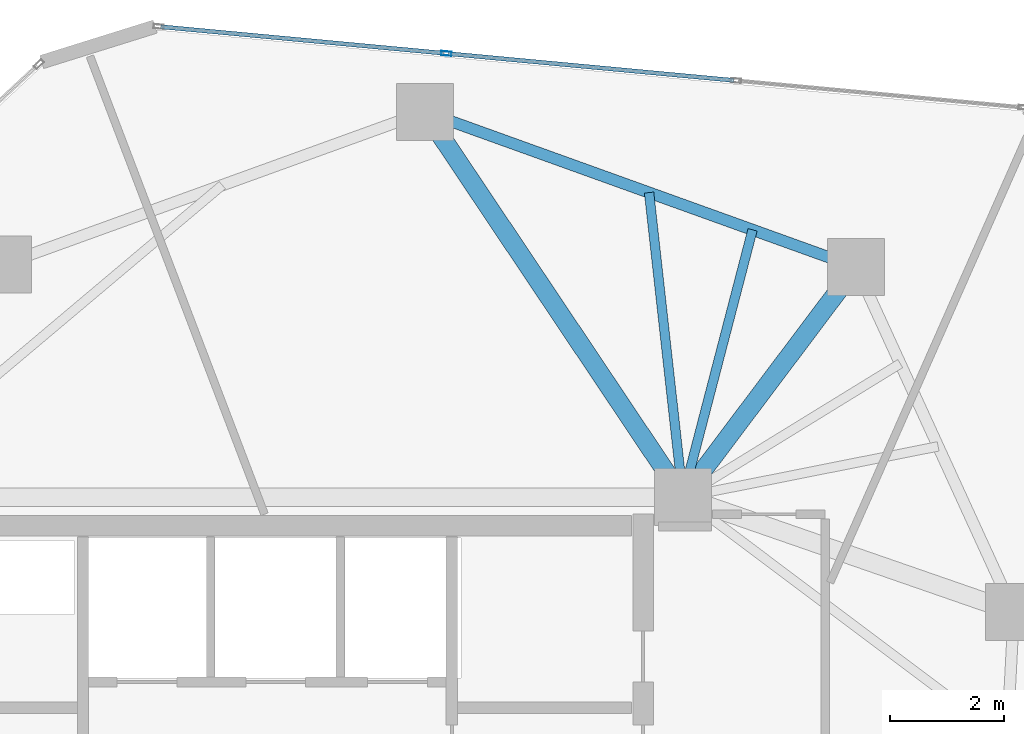
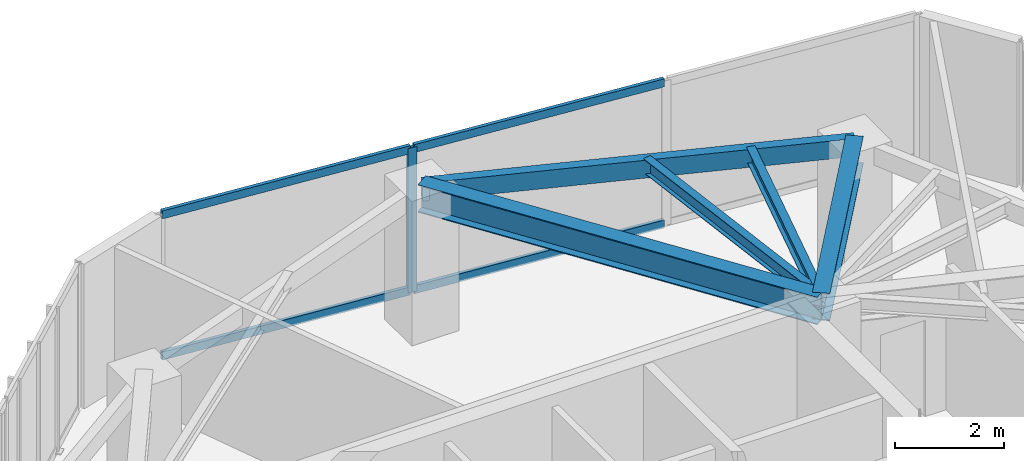
# One storey, part 13 of 19: 5 beams, 5 members, 1 element without a shape of its own.
"""IFC4 building model written with IfcOpenShell, lengths in metres."""

from ifc_helpers import new_model, si_unit, direction, frame, origin, origin_2d, place, context, subcontext, project, spatial, hollow_rectangle, i_section, extrude, source, transform, mapped, material, layer, layer_set, material_profile, profile_set, type_object, type_shapes, element, aggregate, save


model = new_model("IFC4")

# Units and contexts
model_context = context("Model", 3, precision=1e-05, world=origin(), true_north=direction((0.0, 1.0)))
body_context = subcontext(model_context, "Body", "Model", "MODEL_VIEW")
ifc_project = project(units=[si_unit("LENGTHUNIT", "METRE"), si_unit("AREAUNIT", "SQUARE_METRE"), si_unit("VOLUMEUNIT", "CUBIC_METRE"), si_unit("PLANEANGLEUNIT", "RADIAN"), si_unit("MASSUNIT", "GRAM", prefix="KILO")], contexts=[model_context])

# Site, building, storey
site_placement = place(None, origin())
site = spatial("IfcSite", under=ifc_project, at=site_placement, CompositionType="ELEMENT")
building_placement = place(site_placement, origin())
building = spatial("IfcBuilding", under=site, at=building_placement, Name="Talar Marvaseh", CompositionType="ELEMENT")
storey_placement = place(building_placement, frame((0.0, 0.0, 218.699951171875)))
storey = spatial("IfcBuildingStorey", under=building, at=storey_placement, Name="L57", CompositionType="ELEMENT", Elevation=218.699951171875)

# Beams
ifc_material_1 = material(Name="Steel S355", Category="steel")
ifc_material_profile_1 = material_profile(ifc_material_1, hollow_rectangle(XDim=0.199951171875, YDim=0.39990234375, WallThickness=0.013916015625, at=origin_2d()), Name="RHS400x200x14")
ifc_profile_set_1 = profile_set([ifc_material_profile_1], Name="Steel S355")
beam_type_1 = type_object("IfcBeamType", Name="Zone 3 Perimeter Spandrel Beam RHS400x200x14", PredefinedType="SPANDREL", material=ifc_profile_set_1)
beam_1_placement = place(storey_placement, frame((28.76611328125, 43.66796875, 3.030029296875), z_axis=(0.940923359576, -0.3386195969, 0.0), x_axis=(0.3386195969, 0.940923359576, 0.0)))
element("IfcBeam", 1, at=beam_1_placement, inside=storey, type_object=beam_type_1, Name="L57 Zone 3 Perimeter Spandrel Beam RHS400x200x14", PredefinedType="SPANDREL", context=body_context, shape_type="SweptSolid", body=[
    extrude(hollow_rectangle(XDim=0.199951171875, YDim=0.39990234375, WallThickness=0.013916015625, at=origin_2d()), origin(), (0.0, 0.0, 1.0), 8.050537109375),
])
ifc_material_profile_2 = material_profile(ifc_material_1, i_section(OverallWidth=0.324951171875, OverallDepth=0.615966796875, WebThickness=0.013916015625, FlangeThickness=0.021484375, at=origin_2d()), Name="W610x174")
ifc_profile_set_2 = profile_set([ifc_material_profile_2], Name="Steel S355")
beam_type_2 = type_object("IfcBeamType", Name="Zone 3 Radial Floor Girder W610x174", PredefinedType="BEAM", material=ifc_profile_set_2)
beam_2_placement = place(storey_placement, frame((28.76611328125, 43.66796875, 2.922119140625), z_axis=(0.556559209375, -0.830807948, 0.0), x_axis=(0.830807948, 0.556559209375, 0.0)))
element("IfcBeam", 2, at=beam_2_placement, inside=storey, type_object=beam_type_2, Name="L57 Zone 3 Radial Floor Girder W610x174", PredefinedType="BEAM", context=body_context, shape_type="SweptSolid", body=[
    extrude(i_section(OverallWidth=0.324951171875, OverallDepth=0.615966796875, WebThickness=0.013916015625, FlangeThickness=0.021484375, at=origin_2d()), origin(), (0.0, 0.0, 1.0), 8.146484375),
])
beam_3_placement = place(storey_placement, frame((36.341064453125, 40.94189453125, 2.922119140625), z_axis=(-0.601204044541, -0.799095549247, 0.0), x_axis=(0.799095549247, -0.601204044541, 0.0)))
element("IfcBeam", 3, at=beam_3_placement, inside=storey, type_object=beam_type_2, Name="L57 Zone 3 Radial Floor Girder W610x174", PredefinedType="BEAM", context=body_context, shape_type="SweptSolid", body=[
    extrude(i_section(OverallWidth=0.324951171875, OverallDepth=0.615966796875, WebThickness=0.013916015625, FlangeThickness=0.021484375, at=origin_2d()), origin(), (0.0, 0.0, 1.0), 5.05810546875),
])
ifc_material_profile_3 = material_profile(ifc_material_1, i_section(OverallWidth=0.166015625, OverallDepth=0.31298828125, WebThickness=0.006591796875, FlangeThickness=0.01123046875, at=origin_2d()), Name="W310x45")
ifc_profile_set_3 = profile_set([ifc_material_profile_3], Name="Steel S355")
beam_type_3 = type_object("IfcBeamType", Name="Zone 3 Secondary Floor Joist W310x45", PredefinedType="JOIST", material=ifc_profile_set_3)
beam_4_placement = place(storey_placement, frame((32.705078125, 42.25048828125, 3.073486328125), z_axis=(0.110516140753, -0.993874329396, 0.0), x_axis=(0.993874329396, 0.110516140753, 0.0)))
element("IfcBeam", 4, at=beam_4_placement, inside=storey, type_object=beam_type_3, Name="L57 Zone 3 Secondary Floor Joist W310x45", PredefinedType="JOIST", context=body_context, shape_type="SweptSolid", body=[
    extrude(i_section(OverallWidth=0.166015625, OverallDepth=0.31298828125, WebThickness=0.006591796875, FlangeThickness=0.01123046875, at=origin_2d()), origin(), (0.0, 0.0, 1.0), 5.383544921875),
])
beam_5_placement = place(storey_placement, frame((34.52294921875, 41.59619140625, 3.073486328125), z_axis=(-0.251993851934, -0.967728835257, 0.0), x_axis=(0.967728835257, -0.251993851934, 0.0)))
element("IfcBeam", 5, at=beam_5_placement, inside=storey, type_object=beam_type_3, Name="L57 Zone 3 Secondary Floor Joist W310x45", PredefinedType="JOIST", context=body_context, shape_type="SweptSolid", body=[
    extrude(i_section(OverallWidth=0.166015625, OverallDepth=0.31298828125, WebThickness=0.006591796875, FlangeThickness=0.01123046875, at=origin_2d()), origin(), (0.0, 0.0, 1.0), 4.852783203125),
])

# Curtain wall, members
ifc_material_2 = material(Name="Architectural Aluminium", Category="aluminium")
ifc_layer = layer(ifc_material_2, 0.18994140625)
ifc_layer_set = layer_set([ifc_layer], Name="Architectural Aluminium")
curtain_wall_type = type_object("IfcCurtainWallType", Name="Unitised Solar Atelier Curtain Wall Z3", PredefinedType="NOTDEFINED", material=ifc_layer_set)
curtain_wall_placement = place(storey_placement, origin())
curtain_wall = element("IfcCurtainWall", 6, at=curtain_wall_placement, inside=storey, type_object=curtain_wall_type, Name="L57 Unitised Solar Atelier Curtain Wall Z3", PredefinedType="NOTDEFINED")
ifc_material_profile_4 = material_profile(ifc_material_2, hollow_rectangle(XDim=0.074951171875, YDim=0.179931640625, WallThickness=0.0048828125, at=origin_2d()), Name="RHS180x75x5")
ifc_profile_set_4 = profile_set([ifc_material_profile_4], Name="Architectural Aluminium")
member_type_1 = type_object("IfcMemberType", Name="Unitised Curtain Wall Standard Mullion RHS180x75x5", PredefinedType="MULLION", material=ifc_profile_set_4)
shared_shape_1 = source(origin(), body_context, "Body", "SweptSolid", [
    extrude(hollow_rectangle(XDim=0.074951171875, YDim=0.179931640625, WallThickness=0.0048828125, at=origin_2d()), origin(), (0.0, 0.0, 1.0), 3.22998046875),
])
type_shapes(member_type_1, [shared_shape_1])
member_1_placement = place(storey_placement, frame((29.142822265625, 44.69384765625, 0.0), z_axis=(0.0, 0.0, 1.0), x_axis=(0.093174095573, 0.995649831976, 0.0)))
member_1 = element("IfcMember", 7, at=member_1_placement, type_object=member_type_1, Name="CW-Z3 mullion 2", PredefinedType="MULLION", context=body_context, shape_type="MappedRepresentation", body=[
    mapped(shared_shape_1, transform((0.0, 0.0, 0.0), x_axis=(1.0, 0.0, 0.0), y_axis=(0.0, 1.0, 0.0), z_axis=(0.0, 0.0, 1.0), scale=1.0)),
])
ifc_material_profile_5 = material_profile(ifc_material_2, hollow_rectangle(XDim=0.074951171875, YDim=0.179931640625, WallThickness=0.0048828125, at=origin_2d()), Name="RHS180x75x5")
ifc_profile_set_5 = profile_set([ifc_material_profile_5], Name="Architectural Aluminium")
member_type_2 = type_object("IfcMemberType", Name="Unitised Curtain Wall Transom RHS180x75x5", PredefinedType="USERDEFINED", material=ifc_profile_set_5)
shared_shape_2 = source(origin(), body_context, "Body", "SweptSolid", [
    extrude(hollow_rectangle(XDim=0.074951171875, YDim=0.179931640625, WallThickness=0.0048828125, at=origin_2d()), origin(), (0.0, 0.0, 1.0), 5.0380859375),
])
member_2_placement = place(storey_placement, frame((29.18017578125, 44.690185546875, 0.03759765625), z_axis=(0.99565306421, -0.093139549762, 0.0), x_axis=(0.093139549762, 0.99565306421, 0.0)))
member_2 = element("IfcMember", 8, at=member_2_placement, type_object=member_type_2, Name="CW-Z3 transom 2.1", ObjectType="TRANSOM", PredefinedType="USERDEFINED", context=body_context, shape_type="MappedRepresentation", body=[
    mapped(shared_shape_2, transform((0.0, 0.0, 0.0), x_axis=(1.0, 0.0, 0.0), y_axis=(0.0, 1.0, 0.0), z_axis=(0.0, 0.0, 1.0), scale=1.0)),
])
member_3_placement = place(storey_placement, frame((29.18017578125, 44.690185546875, 3.192626953125), z_axis=(0.99565306421, -0.093139549762, 0.0), x_axis=(0.093139549762, 0.99565306421, 0.0)))
member_3 = element("IfcMember", 9, at=member_3_placement, type_object=member_type_2, Name="CW-Z3 transom 2.2", ObjectType="TRANSOM", PredefinedType="USERDEFINED", context=body_context, shape_type="MappedRepresentation", body=[
    mapped(shared_shape_2, transform((0.0, 0.0, 0.0), x_axis=(1.0, 0.0, 0.0), y_axis=(0.0, 1.0, 0.0), z_axis=(0.0, 0.0, 1.0), scale=1.0)),
])
shared_shape_3 = source(origin(), body_context, "Body", "SweptSolid", [
    extrude(hollow_rectangle(XDim=0.074951171875, YDim=0.179931640625, WallThickness=0.0048828125, at=origin_2d()), origin(), (0.0, 0.0, 1.0), 5.00048828125),
])
type_shapes(member_type_2, [shared_shape_2, shared_shape_3])
member_4_placement = place(storey_placement, frame((24.126708984375, 45.163330078125, 0.03759765625), z_axis=(0.995647119426, -0.093203077085, 0.0), x_axis=(0.093203077085, 0.995647119426, 0.0)))
member_4 = element("IfcMember", 10, at=member_4_placement, type_object=member_type_2, Name="CW-Z3 transom 1.1", ObjectType="TRANSOM", PredefinedType="USERDEFINED", context=body_context, shape_type="MappedRepresentation", body=[
    mapped(shared_shape_3, transform((0.0, 0.0, 0.0), x_axis=(1.0, 0.0, 0.0), y_axis=(0.0, 1.0, 0.0), z_axis=(0.0, 0.0, 1.0), scale=1.0)),
])
member_5_placement = place(storey_placement, frame((24.126708984375, 45.163330078125, 3.192626953125), z_axis=(0.995647119426, -0.093203077085, 0.0), x_axis=(0.093203077085, 0.995647119426, 0.0)))
member_5 = element("IfcMember", 11, at=member_5_placement, type_object=member_type_2, Name="CW-Z3 transom 1.2", ObjectType="TRANSOM", PredefinedType="USERDEFINED", context=body_context, shape_type="MappedRepresentation", body=[
    mapped(shared_shape_3, transform((0.0, 0.0, 0.0), x_axis=(1.0, 0.0, 0.0), y_axis=(0.0, 1.0, 0.0), z_axis=(0.0, 0.0, 1.0), scale=1.0)),
])
aggregate(curtain_wall, [member_1, member_4, member_5, member_2, member_3])

save(model, "model.ifc")
